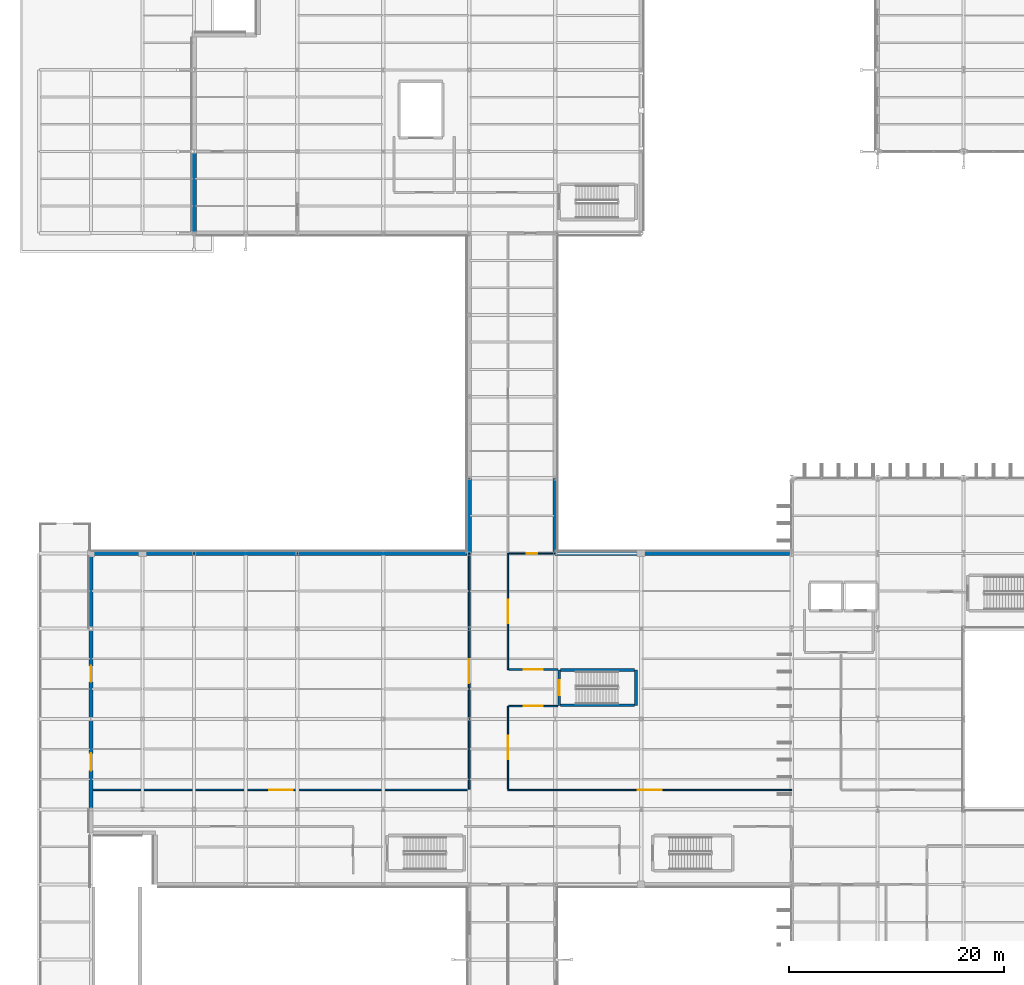
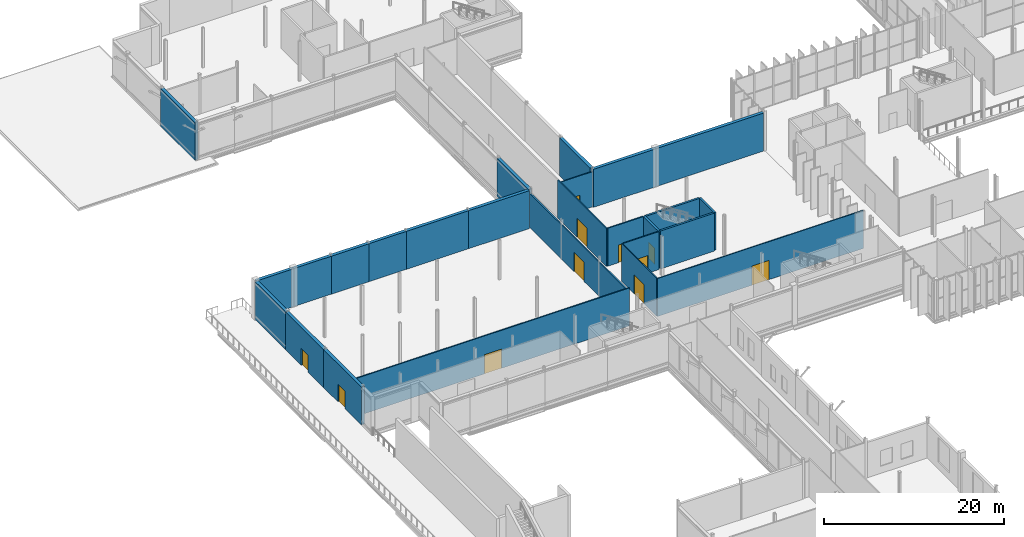
# One storey, part 120 of 147: 26 walls, 11 doors, 11 openings.
"""IFC4 building model written with IfcOpenShell, lengths in metres."""

import ifcopenshell
import ifcopenshell.guid

model = None  # the IFC model being written
_history = None  # IfcOwnerHistory: only IFC2X3 demands one
_inside = {}  # id of a spatial element -> (the spatial element, [elements in it])
_under = {}  # id of a project, library or spatial element -> (it, [spatial elements below it])
_declared = {}  # id of a project -> (the project, [libraries it declares])
_typed = {}  # id of a type object -> (the type object, [elements of that type])
_made_of = {}  # id of a material, layer set ... -> (it, [elements and type objects made of it])


def new_model(schema):
    """Start an empty IFC model of exactly this schema.

    Asked for "IFC4X3", IfcOpenShell would pick the latest addendum, in which some entities
    have other attributes; the version numbers below select the first issue.
    IFC2X3 requires an IfcOwnerHistory on every rooted entity: one is made here for all.
    """
    global model, _history
    if schema == "IFC4X3":
        model = ifcopenshell.file(schema_version=(4, 3, 0, 0))
    else:
        model = ifcopenshell.file(schema=schema)
    _inside.clear()
    _under.clear()
    _declared.clear()
    _typed.clear()
    _made_of.clear()
    _history = None
    if model.schema == "IFC2X3":
        org = make("IfcOrganization", Name="unknown")
        user = make(
            "IfcPersonAndOrganization",
            ThePerson=make("IfcPerson", FamilyName="unknown"),
            TheOrganization=org,
        )
        app = make(
            "IfcApplication",
            ApplicationDeveloper=org,
            Version="unknown",
            ApplicationFullName="unknown",
            ApplicationIdentifier="unknown",
        )
        _history = make(
            "IfcOwnerHistory",
            OwningUser=user,
            OwningApplication=app,
            ChangeAction="ADDED",
            CreationDate=0,
        )
    return model


def make(cls, **values):
    """One entity of the class cls with the attributes given. An attribute that is None is left unset."""
    return model.create_entity(
        cls, **{name: value for name, value in values.items() if value is not None}
    )


def rooted(cls, **values):
    """An entity with a GlobalId (a new one), such as an element, a storey or a relation."""
    return make(cls, GlobalId=ifcopenshell.guid.new(), OwnerHistory=_history, **values)


def si_unit(unit_type, name, prefix=None):
    """IfcSIUnit, for example si_unit("LENGTHUNIT", "METRE", prefix="MILLI")."""
    return make("IfcSIUnit", UnitType=unit_type, Prefix=prefix, Name=name)


def assignment(units):
    """IfcUnitAssignment: the units of a project."""
    return None if units is None else make("IfcUnitAssignment", Units=units)


def point(xyz):
    """IfcCartesianPoint."""
    return None if xyz is None else make("IfcCartesianPoint", Coordinates=xyz)


def direction(xyz):
    """IfcDirection."""
    return None if xyz is None else make("IfcDirection", DirectionRatios=xyz)


def frame(location, z_axis=None, x_axis=None):
    """IfcAxis2Placement3D, a coordinate frame: its origin and axes. An axis left out is left unset."""
    return make(
        "IfcAxis2Placement3D",
        Location=point(location),
        Axis=direction(z_axis),
        RefDirection=direction(x_axis),
    )


def frame_2d(location, x_axis=None):
    """IfcAxis2Placement2D, a coordinate frame in the plane: its origin and x axis."""
    return make(
        "IfcAxis2Placement2D", Location=point(location), RefDirection=direction(x_axis)
    )


def origin():
    """The frame at (0, 0, 0) with its axes left unset."""
    return frame((0.0, 0.0, 0.0))


def place(relative_to, where):
    """IfcLocalPlacement: puts the frame where relative to a parent placement (None: the world)."""
    return make(
        "IfcLocalPlacement", PlacementRelTo=relative_to, RelativePlacement=where
    )


def context(
    kind, dimensions, precision=None, world=None, true_north=None, identifier=None
):
    """IfcGeometricRepresentationContext, for example the 3D "Model" context."""
    return make(
        "IfcGeometricRepresentationContext",
        ContextIdentifier=identifier,
        ContextType=kind,
        CoordinateSpaceDimension=dimensions,
        Precision=precision,
        WorldCoordinateSystem=world,
        TrueNorth=true_north,
    )


def subcontext(parent, identifier, kind, view, scale=None):
    """IfcGeometricRepresentationSubContext, for example "Body" below "Model"."""
    return make(
        "IfcGeometricRepresentationSubContext",
        ContextIdentifier=identifier,
        ContextType=kind,
        ParentContext=parent,
        TargetScale=scale,
        TargetView=view,
    )


def project(units=None, contexts=None):
    """IfcProject with its units and contexts."""
    return rooted(
        "IfcProject",
        Name="project",
        RepresentationContexts=contexts,
        UnitsInContext=assignment(units),
    )


def spatial(cls, under=None, at=None, **own):
    """A site, building, storey or space (cls), placed at a placement, below another one or the project."""
    s = rooted(cls, ObjectPlacement=at, **own)
    if under is not None:
        _under.setdefault(under.id(), (under, []))[1].append(s)
    return s


def profile(cls, at=None, kind="AREA", **sizes):
    """A parametric profile (cls). Its sizes go by their IFC names, for example OverallWidth=200.0."""
    return make(cls, ProfileType=kind, Position=at, **sizes)


def rectangle(**sizes):
    """IfcRectangleProfileDef."""
    return profile("IfcRectangleProfileDef", **sizes)


def extrude(swept, where, along, depth):
    """IfcExtrudedAreaSolid: the profile swept, set in the frame where, extruded along a direction by depth."""
    return make(
        "IfcExtrudedAreaSolid",
        SweptArea=swept,
        Position=where,
        ExtrudedDirection=direction(along),
        Depth=depth,
    )


def shape(context_of_items, identifier, shape_type, items):
    """IfcShapeRepresentation: the items that make up one representation, for example the "Body"."""
    return make(
        "IfcShapeRepresentation",
        ContextOfItems=context_of_items,
        RepresentationIdentifier=identifier,
        RepresentationType=shape_type,
        Items=items,
    )


def material(Name=None, Category=None):
    """IfcMaterial."""
    return make("IfcMaterial", Name=Name, Category=Category)


def layer(
    of_material, thickness, ventilated=None, Name=None, Category=None, Priority=None
):
    """IfcMaterialLayer: one layer of a wall or slab, of a material (None: an air gap)."""
    return make(
        "IfcMaterialLayer",
        Material=of_material,
        LayerThickness=thickness,
        IsVentilated=ventilated,
        Name=Name,
        Category=Category,
        Priority=Priority,
    )


def layer_set(layers, Name=None):
    """IfcMaterialLayerSet."""
    return make("IfcMaterialLayerSet", MaterialLayers=layers, LayerSetName=Name)


def made_of(thing, what):
    """Note that an element or type object is made of a material, layer set ...; save() writes the relation."""
    if what is not None:
        _made_of.setdefault(what.id(), (what, []))[1].append(thing)
    return thing


def type_object(cls, material=None, **own):
    """A type object (cls), such as IfcWallType, which elements share."""
    return made_of(rooted(cls, **own), material)


def element(
    cls,
    number,
    at=None,
    inside=None,
    cuts=None,
    type_object=None,
    material=None,
    context=None,
    identifier="Body",
    shape_type=None,
    held_by="IfcProductDefinitionShape",
    body=None,
    shapes=None,
    **own,
):
    """One element of the class cls, such as IfcWall. Its Tag is "e" and its number.

    at: its placement. inside: the storey or other place that contains it. cuts: it is an
    opening in that element (IfcRelVoidsElement). A single representation is given by context,
    identifier, shape_type and body (its items); several are given by shapes. held_by: the class
    of the entity that holds the representations. save() writes the other relations.
    """
    e = rooted(cls, Tag="e%d" % number, ObjectPlacement=at, **own)
    if body is not None:
        shapes = [shape(context, identifier, shape_type, body)]
    if shapes is not None:
        e.Representation = make(held_by, Representations=shapes)
    if inside is not None:
        _inside.setdefault(inside.id(), (inside, []))[1].append(e)
    if cuts is not None:
        rooted(
            "IfcRelVoidsElement", RelatingBuildingElement=cuts, RelatedOpeningElement=e
        )
    if type_object is not None:
        _typed.setdefault(type_object.id(), (type_object, []))[1].append(e)
    return made_of(e, material)


def fill(opening, filler):
    """IfcRelFillsElement: the door or window that sits in an opening."""
    return rooted(
        "IfcRelFillsElement",
        RelatingOpeningElement=opening,
        RelatedBuildingElement=filler,
    )


def aggregate(whole, parts):
    """IfcRelAggregates: a whole, such as a stair, and the parts it consists of."""
    return rooted("IfcRelAggregates", RelatingObject=whole, RelatedObjects=parts)


def save(model, path):
    """Write the relations noted so far, then the file.

    IfcRelAggregates (storeys below a building ...), IfcRelContainedInSpatialStructure (elements
    in a storey), IfcRelDefinesByType, IfcRelAssociatesMaterial and IfcRelDeclares: one each for
    every whole, place, type object, material and project.
    """
    for whole, parts in _under.values():
        aggregate(whole, parts)
    for where, things in _inside.values():
        rooted(
            "IfcRelContainedInSpatialStructure",
            RelatedElements=things,
            RelatingStructure=where,
        )
    for kind, things in _typed.values():
        rooted("IfcRelDefinesByType", RelatedObjects=things, RelatingType=kind)
    for what, things in _made_of.values():
        rooted("IfcRelAssociatesMaterial", RelatedObjects=things, RelatingMaterial=what)
    for by, libraries in _declared.values():
        rooted("IfcRelDeclares", RelatingContext=by, RelatedDefinitions=libraries)
    model.write(path)


model = new_model("IFC4")

# Units and contexts
model_context = context("Model", 3, precision=1e-05, world=origin(), true_north=direction((0.0, 1.0)))
body_context = subcontext(model_context, "Body", "Model", "MODEL_VIEW")
ifc_project = project(units=[si_unit("LENGTHUNIT", "METRE"), si_unit("AREAUNIT", "SQUARE_METRE"), si_unit("VOLUMEUNIT", "CUBIC_METRE"), si_unit("PLANEANGLEUNIT", "RADIAN"), si_unit("MASSUNIT", "GRAM", prefix="KILO")], contexts=[model_context])

# Site, building, storey
site_placement = place(None, origin())
site = spatial("IfcSite", under=ifc_project, at=site_placement, CompositionType="ELEMENT")
building_placement = place(site_placement, origin())
building = spatial("IfcBuilding", under=site, at=building_placement, Name="Vekula Escarpment Museum", CompositionType="ELEMENT")
storey_placement = place(building_placement, frame((0.0, 0.0, 7.800048828125)))
storey = spatial("IfcBuildingStorey", under=building, at=storey_placement, Name="L02", CompositionType="ELEMENT", Elevation=7.800048828125)

# Walls
ifc_material_1 = material(Name="Concrete C35/45", Category="concrete")
ifc_layer_1 = layer(ifc_material_1, 0.39990234375)
ifc_layer_set_1 = layer_set([ifc_layer_1], Name="Concrete C35/45")
wall_type_1 = type_object("IfcWallType", Name="WL-ARC-400", PredefinedType="SOLIDWALL", material=ifc_layer_set_1)
wall_1_placement = place(storey_placement, frame((56.0, 83.39990234375, 0.0), z_axis=(0.0, 0.0, 1.0), x_axis=(1.0, 0.0, 0.0)))
element("IfcWall", 1, at=wall_1_placement, inside=storey, type_object=wall_type_1, Name="Exterior Wall WL-EXT-L02-0475", PredefinedType="SOLIDWALL", context=body_context, shape_type="SweptSolid", body=[
    extrude(rectangle(XDim=13.821044921875, YDim=0.39990234375, at=frame_2d((6.91064453125, 0.0))), origin(), (0.0, 0.0, 1.0), 5.14990234375),
])
wall_2_placement = place(storey_placement, frame((48.0, 83.39990234375, 0.0), z_axis=(0.0, 0.0, 1.0), x_axis=(1.0, 0.0, 0.0)))
element("IfcWall", 2, at=wall_2_placement, inside=storey, type_object=wall_type_1, Name="Exterior Wall WL-EXT-L02-0476", PredefinedType="SOLIDWALL", context=body_context, shape_type="SweptSolid", body=[
    extrude(rectangle(XDim=8.0, YDim=0.39990234375, at=frame_2d((4.0, 0.0))), origin(), (0.0, 0.0, 1.0), 5.14990234375),
])
wall_3_placement = place(storey_placement, frame((48.0, 90.39990234375, 0.0), z_axis=(0.0, 0.0, 1.0), x_axis=(0.0, -1.0, 0.0)))
element("IfcWall", 3, at=wall_3_placement, inside=storey, type_object=wall_type_1, Name="Exterior Wall WL-EXT-L02-0477", PredefinedType="SOLIDWALL", context=body_context, shape_type="SweptSolid", body=[
    extrude(rectangle(XDim=6.7958984375, YDim=0.39990234375, at=frame_2d((3.39794921875, 0.0))), origin(), (0.0, 0.0, 1.0), 5.14990234375),
])
wall_4_placement = place(storey_placement, frame((14.39990234375, 113.199951171875, 0.0), z_axis=(0.0, 0.0, 1.0), x_axis=(0.0, 1.0, 0.0)))
element("IfcWall", 4, at=wall_4_placement, inside=storey, type_object=wall_type_1, Name="Exterior Wall WL-EXT-L02-0495", PredefinedType="SOLIDWALL", context=body_context, shape_type="SweptSolid", body=[
    extrude(rectangle(XDim=7.60009765625, YDim=0.39990234375, at=frame_2d((3.800048828125, 0.0))), origin(), (0.0, 0.0, 1.0), 5.14990234375),
])
wall_5_placement = place(storey_placement, frame((40.0, 83.39990234375, 0.0), z_axis=(0.0, 0.0, 1.0), x_axis=(0.0, 1.0, 0.0)))
element("IfcWall", 5, at=wall_5_placement, inside=storey, type_object=wall_type_1, Name="Exterior Wall WL-EXT-L02-0503", PredefinedType="SOLIDWALL", context=body_context, shape_type="SweptSolid", body=[
    extrude(rectangle(XDim=7.0, YDim=0.39990234375, at=frame_2d((3.5, 0.0))), origin(), (0.0, 0.0, 1.0), 5.14990234375),
])
wall_6_placement = place(storey_placement, frame((32.0, 83.39990234375, 0.0), z_axis=(0.0, 0.0, 1.0), x_axis=(1.0, 0.0, 0.0)))
element("IfcWall", 6, at=wall_6_placement, inside=storey, type_object=wall_type_1, Name="Exterior Wall WL-EXT-L02-0504", PredefinedType="SOLIDWALL", context=body_context, shape_type="SweptSolid", body=[
    extrude(rectangle(XDim=7.7958984375, YDim=0.39990234375, at=frame_2d((3.89794921875, 0.0))), origin(), (0.0, 0.0, 1.0), 5.14990234375),
])
wall_7_placement = place(storey_placement, frame((24.0, 83.39990234375, 0.0), z_axis=(0.0, 0.0, 1.0), x_axis=(1.0, 0.0, 0.0)))
element("IfcWall", 7, at=wall_7_placement, inside=storey, type_object=wall_type_1, Name="Exterior Wall WL-EXT-L02-0505", PredefinedType="SOLIDWALL", context=body_context, shape_type="SweptSolid", body=[
    extrude(rectangle(XDim=8.0, YDim=0.39990234375, at=frame_2d((4.0, 0.0))), origin(), (0.0, 0.0, 1.0), 5.14990234375),
])
for number, where, z_axis, x_axis, name in (
    (8, (19.199951171875, 83.39990234375, 0.0), (0.0, 0.0, 1.0), (1.0, 0.0, 0.0), "Exterior Wall WL-EXT-L02-0506"),
    (9, (14.39990234375, 83.39990234375, 0.0), (0.0, 0.0, 1.0), (1.0, 0.0, 0.0), "Exterior Wall WL-EXT-L02-0507"),
):
    element("IfcWall", number, at=place(storey_placement, frame(where, z_axis=z_axis, x_axis=x_axis)), inside=storey, type_object=wall_type_1, Name=name, PredefinedType="SOLIDWALL", context=body_context, shape_type="SweptSolid", body=[
        extrude(rectangle(XDim=4.800048828125, YDim=0.39990234375, at=frame_2d((2.39990234375, 0.0))), origin(), (0.0, 0.0, 1.0), 5.14990234375),
    ])
wall_8_placement = place(storey_placement, frame((9.60009765625, 83.39990234375, 0.0), z_axis=(0.0, 0.0, 1.0), x_axis=(1.0, 0.0, 0.0)))
element("IfcWall", 10, at=wall_8_placement, inside=storey, type_object=wall_type_1, Name="Exterior Wall WL-EXT-L02-0508", PredefinedType="SOLIDWALL", context=body_context, shape_type="SweptSolid", body=[
    extrude(rectangle(XDim=4.7998046875, YDim=0.39990234375, at=frame_2d((2.39990234375, 0.0))), origin(), (0.0, 0.0, 1.0), 5.14990234375),
])
wall_9_placement = place(storey_placement, frame((4.800048828125, 83.39990234375, 0.0), z_axis=(0.0, 0.0, 1.0), x_axis=(1.0, 0.0, 0.0)))
element("IfcWall", 11, at=wall_9_placement, inside=storey, type_object=wall_type_1, Name="Exterior Wall WL-EXT-L02-0509", PredefinedType="SOLIDWALL", context=body_context, shape_type="SweptSolid", body=[
    extrude(rectangle(XDim=4.800048828125, YDim=0.39990234375, at=frame_2d((2.39990234375, 0.0))), origin(), (0.0, 0.0, 1.0), 5.14990234375),
])
wall_10_placement = place(storey_placement, frame((4.800048828125, 76.39990234375, 0.0), z_axis=(0.0, 0.0, 1.0), x_axis=(0.0, 1.0, 0.0)))
element("IfcWall", 12, at=wall_10_placement, inside=storey, type_object=wall_type_1, Name="Exterior Wall WL-EXT-L02-0510", PredefinedType="SOLIDWALL", context=body_context, shape_type="SweptSolid", body=[
    extrude(rectangle(XDim=6.796142578125, YDim=0.39990234375, at=frame_2d((3.39794921875, 0.0))), origin(), (0.0, 0.0, 1.0), 5.14990234375),
])

# Wall, opening, door
wall_11_placement = place(storey_placement, frame((4.800048828125, 68.0, 0.0), z_axis=(0.0, 0.0, 1.0), x_axis=(0.0, 1.0, 0.0)))
wall_11 = element("IfcWall", 13, at=wall_11_placement, inside=storey, type_object=wall_type_1, Name="Exterior Wall WL-EXT-L02-0511", PredefinedType="SOLIDWALL", context=body_context, shape_type="SweptSolid", body=[
    extrude(rectangle(XDim=8.39990234375, YDim=0.39990234375, at=frame_2d((4.199951171875, 0.0))), origin(), (0.0, 0.0, 1.0), 5.14990234375),
])
opening_1_placement = place(wall_11_placement, frame((3.449951171875, 0.0, 0.0)))
opening_1 = element("IfcOpeningElement", 14, at=opening_1_placement, cuts=wall_11, Name="Opening D-TR22", PredefinedType="OPENING", context=body_context, shape_type="SweptSolid", body=[
    extrude(rectangle(XDim=1.5, YDim=2.300048828125, at=frame_2d((0.75, 1.14990234375))), frame((0.0, 0.2099609375, 0.0), z_axis=(0.0, -1.0, 0.0), x_axis=(1.0, 0.0, 0.0)), (0.0, 0.0, 1.0), 0.419921875),
])
ifc_material_2 = material(Name="Thermally broken glazed terrace door", Category="steel")
door_type_1 = type_object("IfcDoorType", Name="DR-TER-1500x2300", OperationType="NOTDEFINED", PredefinedType="DOOR", material=ifc_material_2)
door_1_placement = place(opening_1_placement, origin())
door_1 = element("IfcDoor", 15, at=door_1_placement, inside=storey, type_object=door_type_1, Name="Tier 1 Terrace Gallery Door D-TR22", OperationType="SINGLE_SWING_RIGHT", OverallHeight=2.300048828125, OverallWidth=1.5, PredefinedType="DOOR", context=body_context, shape_type="SweptSolid", body=[
    extrude(rectangle(XDim=1.5, YDim=2.300048828125, at=frame_2d((0.75, 1.14990234375))), frame((0.0, 0.02490234375, 0.0), z_axis=(0.0, -1.0, 0.0), x_axis=(1.0, 0.0, 0.0)), (0.0, 0.0, 1.0), 0.050048828125),
])
fill(opening_1, door_1)

wall_12_placement = place(storey_placement, frame((4.800048828125, 59.60009765625, 0.0), z_axis=(0.0, 0.0, 1.0), x_axis=(0.0, 1.0, 0.0)))
wall_12 = element("IfcWall", 16, at=wall_12_placement, inside=storey, type_object=wall_type_1, Name="Exterior Wall WL-EXT-L02-0512", PredefinedType="SOLIDWALL", context=body_context, shape_type="SweptSolid", body=[
    extrude(rectangle(XDim=8.39990234375, YDim=0.39990234375, at=frame_2d((4.199951171875, 0.0))), origin(), (0.0, 0.0, 1.0), 5.14990234375),
])
opening_2_placement = place(wall_12_placement, frame((3.60009765625, 0.0, 0.0)))
opening_2 = element("IfcOpeningElement", 17, at=opening_2_placement, cuts=wall_12, Name="Opening D-TR21", PredefinedType="OPENING", context=body_context, shape_type="SweptSolid", body=[
    extrude(rectangle(XDim=1.60009765625, YDim=2.39990234375, at=frame_2d((0.800048828125, 1.199951171875))), frame((0.0, 0.2099609375, 0.0), z_axis=(0.0, -1.0, 0.0), x_axis=(1.0, 0.0, 0.0)), (0.0, 0.0, 1.0), 0.419921875),
])
ifc_material_3 = material(Name="Thermally broken glazed terrace door", Category="steel")
door_type_2 = type_object("IfcDoorType", Name="DR-TER-1600x2400", OperationType="NOTDEFINED", PredefinedType="DOOR", material=ifc_material_3)
door_2_placement = place(opening_2_placement, origin())
door_2 = element("IfcDoor", 18, at=door_2_placement, inside=storey, type_object=door_type_2, Name="Tier 1 Terrace Gallery Door D-TR21", OperationType="SINGLE_SWING_LEFT", OverallHeight=2.39990234375, OverallWidth=1.60009765625, PredefinedType="DOOR", context=body_context, shape_type="SweptSolid", body=[
    extrude(rectangle(XDim=1.60009765625, YDim=2.39990234375, at=frame_2d((0.800048828125, 1.199951171875))), frame((0.0, 0.02490234375, 0.0), z_axis=(0.0, -1.0, 0.0), x_axis=(1.0, 0.0, 0.0)), (0.0, 0.0, 1.0), 0.050048828125),
])
fill(opening_2, door_2)

ifc_material_4 = material(Name="Concrete C35/45", Category="concrete")
ifc_layer_2 = layer(ifc_material_4, 0.25)
ifc_layer_set_2 = layer_set([ifc_layer_2], Name="Concrete C35/45")
wall_type_2 = type_object("IfcWallType", Name="WL-CORE-250", PredefinedType="SHEAR", material=ifc_layer_set_2)
wall_13_placement = place(storey_placement, frame((48.375, 69.27490234375, 0.0), z_axis=(0.0, 0.0, 1.0), x_axis=(0.0, 1.0, 0.0)))
wall_13 = element("IfcWall", 19, at=wall_13_placement, inside=storey, type_object=wall_type_2, Name="Stair Core Wall ST-10 L02 W", PredefinedType="SHEAR", context=body_context, shape_type="SweptSolid", body=[
    extrude(rectangle(XDim=3.2900390625, YDim=0.25, at=frame_2d((1.64501953125, 0.0))), origin(), (0.0, 0.0, 1.0), 5.14990234375),
])
opening_3_placement = place(wall_13_placement, frame((0.945068359375, 0.0, 0.0)))
opening_3 = element("IfcOpeningElement", 20, at=opening_3_placement, cuts=wall_13, Name="Opening DR-FD60", PredefinedType="OPENING", context=body_context, shape_type="SweptSolid", body=[
    extrude(rectangle(XDim=1.39990234375, YDim=2.199951171875, at=frame_2d((0.699951171875, 1.10009765625))), frame((0.0, 0.135009765625, 0.0), z_axis=(0.0, -1.0, 0.0), x_axis=(1.0, 0.0, 0.0)), (0.0, 0.0, 1.0), 0.27001953125),
])
ifc_material_5 = material(Name="Fire-rated steel stair door", Category="steel")
door_type_3 = type_object("IfcDoorType", Name="DR-STAIR-1400x2200", OperationType="NOTDEFINED", PredefinedType="DOOR", material=ifc_material_5)
door_3_placement = place(opening_3_placement, origin())
door_3 = element("IfcDoor", 21, at=door_3_placement, inside=storey, type_object=door_type_3, Name="Protected Exit Stair Door ST-10 L02", OperationType="SINGLE_SWING_LEFT", OverallHeight=2.199951171875, OverallWidth=1.39990234375, PredefinedType="DOOR", context=body_context, shape_type="SweptSolid", body=[
    extrude(rectangle(XDim=1.39990234375, YDim=2.199951171875, at=frame_2d((0.699951171875, 1.10009765625))), frame((0.0, 0.02490234375, 0.0), z_axis=(0.0, -1.0, 0.0), x_axis=(1.0, 0.0, 0.0)), (0.0, 0.0, 1.0), 0.050048828125),
])
fill(opening_3, door_3)

# Walls
wall_14_placement = place(storey_placement, frame((55.52490234375, 69.27490234375, 0.0), z_axis=(0.0, 0.0, 1.0), x_axis=(0.0, 1.0, 0.0)))
element("IfcWall", 22, at=wall_14_placement, inside=storey, type_object=wall_type_2, Name="Stair Core Wall ST-10 L02 E", PredefinedType="SHEAR", context=body_context, shape_type="SweptSolid", body=[
    extrude(rectangle(XDim=3.2900390625, YDim=0.25, at=frame_2d((1.64501953125, 0.0))), origin(), (0.0, 0.0, 1.0), 5.14990234375),
])
for number, where, z_axis, x_axis, name in (
    (23, (48.50390625, 69.27490234375, 0.0), (0.0, 0.0, 1.0), (1.0, 0.0, 0.0), "Stair Core Wall ST-10 L02 S"),
    (24, (48.50390625, 72.56494140625, 0.0), (0.0, 0.0, 1.0), (1.0, 0.0, 0.0), "Stair Core Wall ST-10 L02 N"),
):
    element("IfcWall", number, at=place(storey_placement, frame(where, z_axis=z_axis, x_axis=x_axis)), inside=storey, type_object=wall_type_2, Name=name, PredefinedType="SHEAR", context=body_context, shape_type="SweptSolid", body=[
        extrude(rectangle(XDim=6.89208984375, YDim=0.25, at=frame_2d((3.446044921875, 0.0))), origin(), (0.0, 0.0, 1.0), 5.14990234375),
    ])

# Wall, opening, door
ifc_material_6 = material(Name="Lightweight studio partition", Category="gypsum")
ifc_layer_3 = layer(ifc_material_6, 0.1201171875)
ifc_layer_set_3 = layer_set([ifc_layer_3], Name="Lightweight studio partition")
wall_type_3 = type_object("IfcWallType", Name="WL-PART-120", PredefinedType="PARTITIONING", material=ifc_layer_set_3)
wall_15_placement = place(storey_placement, frame((43.678955078125, 83.39990234375, 0.0), z_axis=(0.0, 0.0, 1.0), x_axis=(1.0, 0.0, 0.0)))
wall_15 = element("IfcWall", 25, at=wall_15_placement, inside=storey, type_object=wall_type_3, Name="Interior Partition WL-INT-L02-0006", PredefinedType="PARTITIONING", context=body_context, shape_type="SweptSolid", body=[
    extrude(rectangle(XDim=4.321044921875, YDim=0.1201171875, at=frame_2d((2.16064453125, 0.0))), origin(), (0.0, 0.0, 1.0), 4.77490234375),
])
opening_4_placement = place(wall_15_placement, frame((1.660400390625, 0.0, 0.0)))
opening_4 = element("IfcOpeningElement", 26, at=opening_4_placement, cuts=wall_15, Name="Opening DR-OF10", PredefinedType="OPENING", context=body_context, shape_type="SweptSolid", body=[
    extrude(rectangle(XDim=1.0, YDim=2.14990234375, at=frame_2d((0.5, 1.074951171875))), frame((0.0, 0.070068359375, 0.0), z_axis=(0.0, -1.0, 0.0), x_axis=(1.0, 0.0, 0.0)), (0.0, 0.0, 1.0), 0.14013671875),
])
ifc_material_7 = material(Name="Solid core timber study door", Category="wood")
door_type_4 = type_object("IfcDoorType", Name="DR-OFF-1000x2150", OperationType="NOTDEFINED", PredefinedType="DOOR", material=ifc_material_7)
door_4_placement = place(opening_4_placement, origin())
door_4 = element("IfcDoor", 27, at=door_4_placement, inside=storey, type_object=door_type_4, Name="Interior Door L02-006", OperationType="SINGLE_SWING_RIGHT", OverallHeight=2.14990234375, OverallWidth=1.0, PredefinedType="DOOR", context=body_context, shape_type="SweptSolid", body=[
    extrude(rectangle(XDim=1.0, YDim=2.14990234375, at=frame_2d((0.5, 1.074951171875))), frame((0.0, 0.02490234375, 0.0), z_axis=(0.0, -1.0, 0.0), x_axis=(1.0, 0.0, 0.0)), (0.0, 0.0, 1.0), 0.050048828125),
])
fill(opening_4, door_4)

wall_16_placement = place(storey_placement, frame((43.60009765625, 61.39990234375, 0.0), z_axis=(0.0, 0.0, 1.0), x_axis=(1.0, 0.0, 0.0)))
wall_16 = element("IfcWall", 28, at=wall_16_placement, inside=storey, type_object=wall_type_3, Name="Interior Partition WL-INT-L02-0015", PredefinedType="PARTITIONING", context=body_context, shape_type="SweptSolid", body=[
    extrude(rectangle(XDim=26.39990234375, YDim=0.1201171875, at=frame_2d((13.199951171875, 0.0))), origin(), (0.0, 0.0, 1.0), 5.14990234375),
])
opening_5_placement = place(wall_16_placement, frame((12.10009765625, 0.0, 0.0)))
opening_5 = element("IfcOpeningElement", 29, at=opening_5_placement, cuts=wall_16, Name="Opening DR-GL22", PredefinedType="OPENING", context=body_context, shape_type="SweptSolid", body=[
    extrude(rectangle(XDim=2.199951171875, YDim=2.60009765625, at=frame_2d((1.10009765625, 1.300048828125))), frame((0.0, 0.070068359375, 0.0), z_axis=(0.0, -1.0, 0.0), x_axis=(1.0, 0.0, 0.0)), (0.0, 0.0, 1.0), 0.14013671875),
])
ifc_material_8 = material(Name="Double acoustic timber gallery door", Category="wood")
door_type_5 = type_object("IfcDoorType", Name="DR-GAL-2200x2600", OperationType="NOTDEFINED", PredefinedType="DOOR", material=ifc_material_8)
door_5_placement = place(opening_5_placement, origin())
door_5 = element("IfcDoor", 30, at=door_5_placement, inside=storey, type_object=door_type_5, Name="Interior Door L02-013", OperationType="SINGLE_SWING_LEFT", OverallHeight=2.60009765625, OverallWidth=2.199951171875, PredefinedType="DOOR", context=body_context, shape_type="SweptSolid", body=[
    extrude(rectangle(XDim=2.199951171875, YDim=2.60009765625, at=frame_2d((1.10009765625, 1.300048828125))), frame((0.0, 0.02490234375, 0.0), z_axis=(0.0, -1.0, 0.0), x_axis=(1.0, 0.0, 0.0)), (0.0, 0.0, 1.0), 0.050048828125),
])
fill(opening_5, door_5)

wall_17_placement = place(storey_placement, frame((43.60009765625, 61.464111328125, 0.0), z_axis=(0.0, 0.0, 1.0), x_axis=(0.0, 1.0, 0.0)))
wall_17 = element("IfcWall", 31, at=wall_17_placement, inside=storey, type_object=wall_type_3, Name="Interior Partition WL-INT-L02-0021", PredefinedType="PARTITIONING", context=body_context, shape_type="SweptSolid", body=[
    extrude(rectangle(XDim=7.73583984375, YDim=0.1201171875, at=frame_2d((3.867919921875, 0.0))), origin(), (0.0, 0.0, 1.0), 5.14990234375),
])
opening_6_placement = place(wall_17_placement, frame((2.76806640625, 0.0, 0.0)))
opening_6 = element("IfcOpeningElement", 32, at=opening_6_placement, cuts=wall_17, Name="Opening DR-GL22", PredefinedType="OPENING", context=body_context, shape_type="SweptSolid", body=[
    extrude(rectangle(XDim=2.199951171875, YDim=2.60009765625, at=frame_2d((1.10009765625, 1.300048828125))), frame((0.0, 0.070068359375, 0.0), z_axis=(0.0, -1.0, 0.0), x_axis=(1.0, 0.0, 0.0)), (0.0, 0.0, 1.0), 0.14013671875),
])
door_6_placement = place(opening_6_placement, origin())
door_6 = element("IfcDoor", 33, at=door_6_placement, inside=storey, type_object=door_type_5, Name="Interior Door L02-019", OperationType="SINGLE_SWING_LEFT", OverallHeight=2.60009765625, OverallWidth=2.199951171875, PredefinedType="DOOR", context=body_context, shape_type="SweptSolid", body=[
    extrude(rectangle(XDim=2.199951171875, YDim=2.60009765625, at=frame_2d((1.10009765625, 1.300048828125))), frame((0.0, 0.02490234375, 0.0), z_axis=(0.0, -1.0, 0.0), x_axis=(1.0, 0.0, 0.0)), (0.0, 0.0, 1.0), 0.050048828125),
])
fill(opening_6, door_6)

ifc_material_9 = material(Name="Gypsum board dry-lined partition", Category="gypsum")
ifc_layer_4 = layer(ifc_material_9, 0.14990234375)
ifc_layer_set_4 = layer_set([ifc_layer_4], Name="Gypsum board dry-lined partition")
wall_type_4 = type_object("IfcWallType", Name="WL-PART-150", PredefinedType="PARTITIONING", material=ifc_layer_set_4)
wall_18_placement = place(storey_placement, frame((5.00390625, 61.39990234375, 0.0), z_axis=(0.0, 0.0, 1.0), x_axis=(1.0, 0.0, 0.0)))
wall_18 = element("IfcWall", 34, at=wall_18_placement, inside=storey, type_object=wall_type_4, Name="Interior Partition WL-INT-L02-0014", PredefinedType="PARTITIONING", context=body_context, shape_type="SweptSolid", body=[
    extrude(rectangle(XDim=34.99609375, YDim=0.14990234375, at=frame_2d((17.498046875, 0.0))), origin(), (0.0, 0.0, 1.0), 5.14990234375),
])
opening_7_placement = place(wall_18_placement, frame((16.39794921875, 0.0, 0.0)))
opening_7 = element("IfcOpeningElement", 35, at=opening_7_placement, cuts=wall_18, Name="Opening DR-GL22", PredefinedType="OPENING", context=body_context, shape_type="SweptSolid", body=[
    extrude(rectangle(XDim=2.199951171875, YDim=2.60009765625, at=frame_2d((1.10009765625, 1.300048828125))), frame((0.0, 0.0849609375, 0.0), z_axis=(0.0, -1.0, 0.0), x_axis=(1.0, 0.0, 0.0)), (0.0, 0.0, 1.0), 0.169921875),
])
door_7_placement = place(opening_7_placement, origin())
door_7 = element("IfcDoor", 36, at=door_7_placement, inside=storey, type_object=door_type_5, Name="Interior Door L02-012", OperationType="SINGLE_SWING_RIGHT", OverallHeight=2.60009765625, OverallWidth=2.199951171875, PredefinedType="DOOR", context=body_context, shape_type="SweptSolid", body=[
    extrude(rectangle(XDim=2.199951171875, YDim=2.60009765625, at=frame_2d((1.10009765625, 1.300048828125))), frame((0.0, 0.02490234375, 0.0), z_axis=(0.0, -1.0, 0.0), x_axis=(1.0, 0.0, 0.0)), (0.0, 0.0, 1.0), 0.050048828125),
])
fill(opening_7, door_7)

wall_19_placement = place(storey_placement, frame((43.60009765625, 72.60009765625, 0.0), z_axis=(0.0, 0.0, 1.0), x_axis=(0.0, 1.0, 0.0)))
wall_19 = element("IfcWall", 37, at=wall_19_placement, inside=storey, type_object=wall_type_4, Name="Interior Partition WL-INT-L02-0020", PredefinedType="PARTITIONING", context=body_context, shape_type="SweptSolid", body=[
    extrude(rectangle(XDim=10.7998046875, YDim=0.14990234375, at=frame_2d((5.39990234375, 0.0))), origin(), (0.0, 0.0, 1.0), 5.14990234375),
])
opening_8_placement = place(wall_19_placement, frame((4.300048828125, 0.0, 0.0)))
opening_8 = element("IfcOpeningElement", 38, at=opening_8_placement, cuts=wall_19, Name="Opening DR-GL22", PredefinedType="OPENING", context=body_context, shape_type="SweptSolid", body=[
    extrude(rectangle(XDim=2.199951171875, YDim=2.60009765625, at=frame_2d((1.10009765625, 1.300048828125))), frame((0.0, 0.0849609375, 0.0), z_axis=(0.0, -1.0, 0.0), x_axis=(1.0, 0.0, 0.0)), (0.0, 0.0, 1.0), 0.169921875),
])
door_8_placement = place(opening_8_placement, origin())
door_8 = element("IfcDoor", 39, at=door_8_placement, inside=storey, type_object=door_type_5, Name="Interior Door L02-018", OperationType="SINGLE_SWING_RIGHT", OverallHeight=2.60009765625, OverallWidth=2.199951171875, PredefinedType="DOOR", context=body_context, shape_type="SweptSolid", body=[
    extrude(rectangle(XDim=2.199951171875, YDim=2.60009765625, at=frame_2d((1.10009765625, 1.300048828125))), frame((0.0, 0.02490234375, 0.0), z_axis=(0.0, -1.0, 0.0), x_axis=(1.0, 0.0, 0.0)), (0.0, 0.0, 1.0), 0.050048828125),
])
fill(opening_8, door_8)

wall_20_placement = place(storey_placement, frame((43.6640625, 69.199951171875, 0.0), z_axis=(0.0, 0.0, 1.0), x_axis=(1.0, 0.0, 0.0)))
wall_20 = element("IfcWall", 40, at=wall_20_placement, inside=storey, type_object=wall_type_4, Name="Interior Partition WL-INT-L02-0023", PredefinedType="PARTITIONING", context=body_context, shape_type="SweptSolid", body=[
    extrude(rectangle(XDim=4.5859375, YDim=0.14990234375, at=frame_2d((2.29296875, 0.0))), origin(), (0.0, 0.0, 1.0), 5.14990234375),
])
opening_9_placement = place(wall_20_placement, frame((1.39306640625, 0.0, 0.0)))
opening_9 = element("IfcOpeningElement", 41, at=opening_9_placement, cuts=wall_20, Name="Opening DR-GL18", PredefinedType="OPENING", context=body_context, shape_type="SweptSolid", body=[
    extrude(rectangle(XDim=1.800048828125, YDim=2.39990234375, at=frame_2d((0.89990234375, 1.199951171875))), frame((0.0, 0.0849609375, 0.0), z_axis=(0.0, -1.0, 0.0), x_axis=(1.0, 0.0, 0.0)), (0.0, 0.0, 1.0), 0.169921875),
])
ifc_material_10 = material(Name="Double glazed gallery portal door", Category="steel")
door_type_6 = type_object("IfcDoorType", Name="DR-GAL-1800x2400", OperationType="NOTDEFINED", PredefinedType="DOOR", material=ifc_material_10)
door_9_placement = place(opening_9_placement, origin())
door_9 = element("IfcDoor", 42, at=door_9_placement, inside=storey, type_object=door_type_6, Name="Interior Door L02-021", OperationType="SINGLE_SWING_LEFT", OverallHeight=2.39990234375, OverallWidth=1.800048828125, PredefinedType="DOOR", context=body_context, shape_type="SweptSolid", body=[
    extrude(rectangle(XDim=1.800048828125, YDim=2.39990234375, at=frame_2d((0.89990234375, 1.199951171875))), frame((0.0, 0.02490234375, 0.0), z_axis=(0.0, -1.0, 0.0), x_axis=(1.0, 0.0, 0.0)), (0.0, 0.0, 1.0), 0.050048828125),
])
fill(opening_9, door_9)

ifc_material_11 = material(Name="Gypsum board gallery partition", Category="gypsum")
ifc_layer_5 = layer(ifc_material_11, 0.159912109375)
ifc_layer_set_5 = layer_set([ifc_layer_5], Name="Gypsum board gallery partition")
wall_type_5 = type_object("IfcWallType", Name="WL-PART-160", PredefinedType="PARTITIONING", material=ifc_layer_set_5)
wall_21_placement = place(storey_placement, frame((40.0, 61.47900390625, 0.0), z_axis=(0.0, 0.0, 1.0), x_axis=(0.0, 1.0, 0.0)))
wall_21 = element("IfcWall", 43, at=wall_21_placement, inside=storey, type_object=wall_type_5, Name="Interior Partition WL-INT-L02-0019", PredefinedType="PARTITIONING", context=body_context, shape_type="SweptSolid", body=[
    extrude(rectangle(XDim=21.9208984375, YDim=0.159912109375, at=frame_2d((10.96044921875, 0.0))), origin(), (0.0, 0.0, 1.0), 4.635009765625),
])
opening_10_placement = place(wall_21_placement, frame((9.860595703125, 0.0, 0.0)))
opening_10 = element("IfcOpeningElement", 44, at=opening_10_placement, cuts=wall_21, Name="Opening DR-GL22", PredefinedType="OPENING", context=body_context, shape_type="SweptSolid", body=[
    extrude(rectangle(XDim=2.199951171875, YDim=2.60009765625, at=frame_2d((1.10009765625, 1.300048828125))), frame((0.0, 0.08984375, 0.0), z_axis=(0.0, -1.0, 0.0), x_axis=(1.0, 0.0, 0.0)), (0.0, 0.0, 1.0), 0.179931640625),
])
door_10_placement = place(opening_10_placement, origin())
door_10 = element("IfcDoor", 45, at=door_10_placement, inside=storey, type_object=door_type_5, Name="Interior Door L02-017", OperationType="SINGLE_SWING_LEFT", OverallHeight=2.60009765625, OverallWidth=2.199951171875, PredefinedType="DOOR", context=body_context, shape_type="SweptSolid", body=[
    extrude(rectangle(XDim=2.199951171875, YDim=2.60009765625, at=frame_2d((1.10009765625, 1.300048828125))), frame((0.0, 0.02490234375, 0.0), z_axis=(0.0, -1.0, 0.0), x_axis=(1.0, 0.0, 0.0)), (0.0, 0.0, 1.0), 0.050048828125),
])
fill(opening_10, door_10)

wall_22_placement = place(storey_placement, frame((43.678955078125, 72.60009765625, 0.0), z_axis=(0.0, 0.0, 1.0), x_axis=(1.0, 0.0, 0.0)))
wall_22 = element("IfcWall", 46, at=wall_22_placement, inside=storey, type_object=wall_type_5, Name="Interior Partition WL-INT-L02-0022", PredefinedType="PARTITIONING", context=body_context, shape_type="SweptSolid", body=[
    extrude(rectangle(XDim=4.571044921875, YDim=0.159912109375, at=frame_2d((2.28564453125, 0.0))), origin(), (0.0, 0.0, 1.0), 5.14990234375),
])
opening_11_placement = place(wall_22_placement, frame((1.385498046875, 0.0, 0.0)))
opening_11 = element("IfcOpeningElement", 47, at=opening_11_placement, cuts=wall_22, Name="Opening DR-GL18", PredefinedType="OPENING", context=body_context, shape_type="SweptSolid", body=[
    extrude(rectangle(XDim=1.800048828125, YDim=2.39990234375, at=frame_2d((0.89990234375, 1.199951171875))), frame((0.0, 0.08984375, 0.0), z_axis=(0.0, -1.0, 0.0), x_axis=(1.0, 0.0, 0.0)), (0.0, 0.0, 1.0), 0.179931640625),
])
door_11_placement = place(opening_11_placement, origin())
door_11 = element("IfcDoor", 48, at=door_11_placement, inside=storey, type_object=door_type_6, Name="Interior Door L02-020", OperationType="SINGLE_SWING_RIGHT", OverallHeight=2.39990234375, OverallWidth=1.800048828125, PredefinedType="DOOR", context=body_context, shape_type="SweptSolid", body=[
    extrude(rectangle(XDim=1.800048828125, YDim=2.39990234375, at=frame_2d((0.89990234375, 1.199951171875))), frame((0.0, 0.02490234375, 0.0), z_axis=(0.0, -1.0, 0.0), x_axis=(1.0, 0.0, 0.0)), (0.0, 0.0, 1.0), 0.050048828125),
])
fill(opening_11, door_11)

save(model, "model.ifc")
